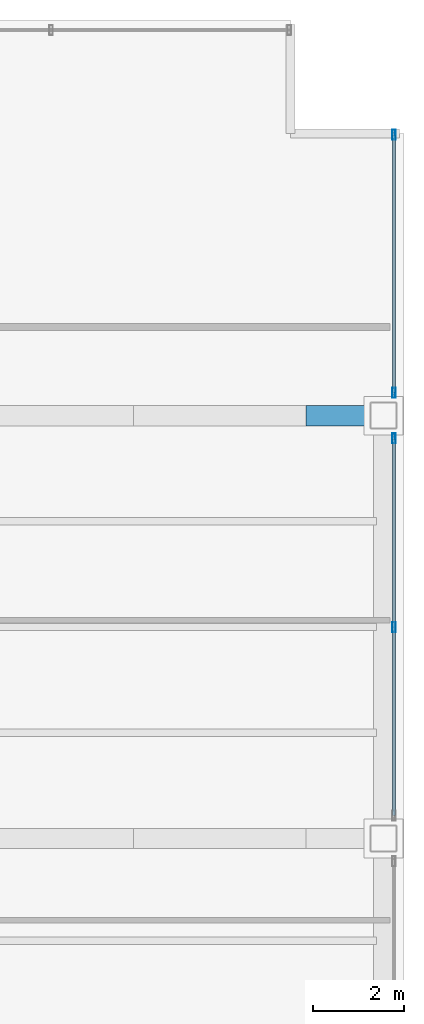
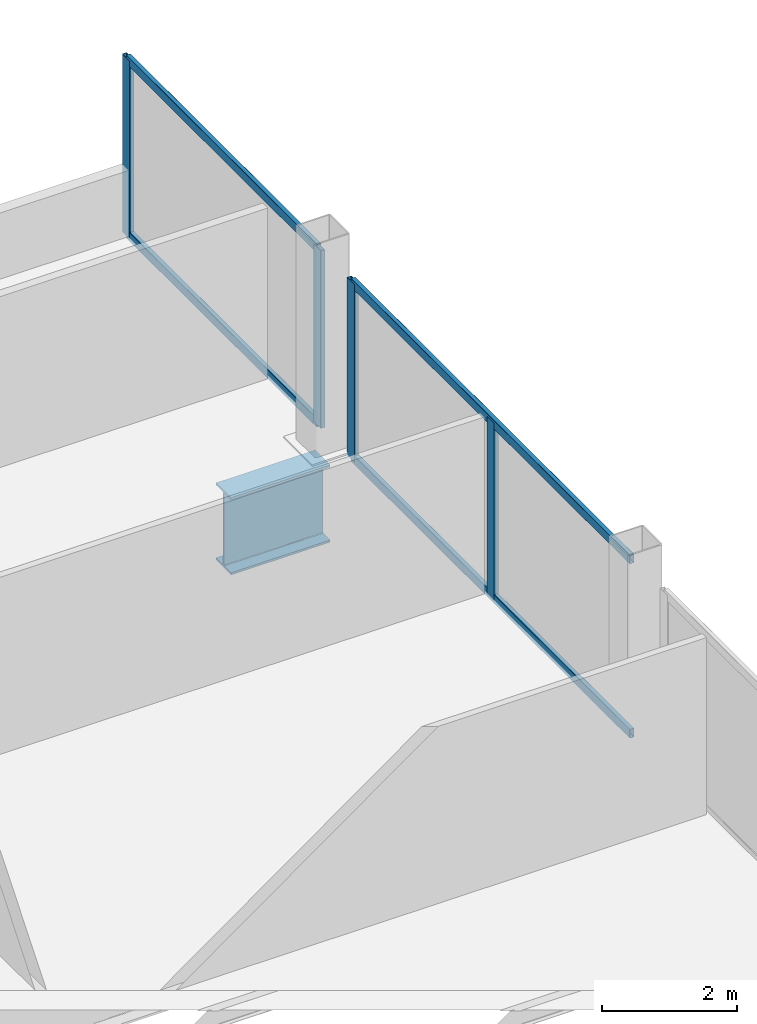
# One storey, part 15 of 23: 8 members, 1 beam, 2 elements without a shape of their own.
"""IFC4 building model written with IfcOpenShell, lengths in metres."""

from ifc_helpers import new_model, si_unit, direction, frame, origin, origin_2d, place, context, subcontext, project, spatial, hollow_rectangle, i_section, extrude, material, material_profile, profile_set, type_object, element, aggregate, save


model = new_model("IFC4")

# Units and contexts
model_context = context("Model", 3, precision=1e-05, world=origin(), true_north=direction((0.0, 1.0)))
body_context = subcontext(model_context, "Body", "Model", "MODEL_VIEW")
ifc_project = project(units=[si_unit("LENGTHUNIT", "METRE"), si_unit("AREAUNIT", "SQUARE_METRE"), si_unit("VOLUMEUNIT", "CUBIC_METRE"), si_unit("PLANEANGLEUNIT", "RADIAN"), si_unit("MASSUNIT", "GRAM", prefix="KILO")], contexts=[model_context])

# Site, building, storey
site_placement = place(None, origin())
site = spatial("IfcSite", under=ifc_project, at=site_placement, CompositionType="ELEMENT")
building_placement = place(site_placement, origin())
building = spatial("IfcBuilding", under=site, at=building_placement, Name="Noeulbin Bourse Tower", CompositionType="ELEMENT")
storey_placement = place(building_placement, frame((0.0, 0.0, 53.800048828125)))
storey = spatial("IfcBuildingStorey", under=building, at=storey_placement, Name="L13", CompositionType="ELEMENT", Elevation=53.800048828125)

# Beam
ifc_material_1 = material(Name="Steel S460", Category="steel")
ifc_material_profile_1 = material_profile(ifc_material_1, i_section(OverallWidth=0.449951171875, OverallDepth=1.39990234375, WebThickness=0.02392578125, FlangeThickness=0.0400390625, FilletRadius=0.02392578125, at=origin_2d()), Name="PG-1400x450x24x40", Category="LoadBearing")
ifc_profile_set_1 = profile_set([ifc_material_profile_1], Name="Steel S460")
beam_type = type_object("IfcBeamType", Name="BM-TRF-1400", PredefinedType="USERDEFINED", material=ifc_profile_set_1)
beam_placement = place(storey_placement, frame((55.35009765625, 38.300048828125, -0.93994140625), z_axis=(1.0, 0.0, 0.0), x_axis=(0.0, 1.0, 0.0)))
element("IfcBeam", 1, at=beam_placement, inside=storey, type_object=beam_type, Name="Tower Primary Girder EW L13-3.8", ObjectType="GIRDER", PredefinedType="USERDEFINED", context=body_context, shape_type="SweptSolid", body=[
    extrude(i_section(OverallWidth=0.449951171875, OverallDepth=1.39990234375, WebThickness=0.02392578125, FlangeThickness=0.0400390625, FilletRadius=0.02392578125, at=origin_2d()), origin(), (0.0, 0.0, 1.0), 1.699951171875),
])

# Curtain wall, members
ifc_material_2 = material(Name="Dark Solar-Control Double Glazing", Category="glass")
curtain_wall_type = type_object("IfcCurtainWallType", Name="CW-SYS-2", PredefinedType="NOTDEFINED", material=ifc_material_2)
curtain_wall_1_placement = place(storey_placement, origin())
curtain_wall_1 = element("IfcCurtainWall", 2, at=curtain_wall_1_placement, inside=storey, type_object=curtain_wall_type, Name="Unitised Curtain Wall CW-L13-E-S3", PredefinedType="NOTDEFINED")
ifc_material_3 = material(Name="Anodised Aluminium 6063-T6", Category="aluminium")
ifc_material_profile_2 = material_profile(ifc_material_3, hollow_rectangle(XDim=0.074951171875, YDim=0.219970703125, WallThickness=0.0048828125, InnerFilletRadius=0.00244140625, OuterFilletRadius=0.0048828125, at=origin_2d()), Name="ALU-MULL-75x220x5", Category="LoadBearing")
ifc_profile_set_2 = profile_set([ifc_material_profile_2], Name="Anodised Aluminium 6063-T6")
member_type_1 = type_object("IfcMemberType", Name="CW-SYS-2-MUL", PredefinedType="MULLION", material=ifc_profile_set_2)
member_1_placement = place(storey_placement, frame((57.280029296875, 33.64990234375, -0.02001953125), z_axis=(0.0, 0.0, 1.0), x_axis=(1.0, 0.0, 0.0)))
member_1 = element("IfcMember", 3, at=member_1_placement, type_object=member_type_1, Name="Curtain Wall Mullion CW-L13-E-S3-M01", PredefinedType="MULLION", context=body_context, shape_type="SweptSolid", body=[
    extrude(hollow_rectangle(XDim=0.074951171875, YDim=0.219970703125, WallThickness=0.0048828125, InnerFilletRadius=0.00244140625, OuterFilletRadius=0.0048828125, at=origin_2d()), origin(), (0.0, 0.0, 1.0), 3.219970703125),
])
member_2_placement = place(storey_placement, frame((57.280029296875, 37.800048828125, -0.02001953125), z_axis=(0.0, 0.0, 1.0), x_axis=(1.0, 0.0, 0.0)))
member_2 = element("IfcMember", 4, at=member_2_placement, type_object=member_type_1, Name="Curtain Wall Mullion CW-L13-E-S3-M02", PredefinedType="MULLION", context=body_context, shape_type="SweptSolid", body=[
    extrude(hollow_rectangle(XDim=0.074951171875, YDim=0.219970703125, WallThickness=0.0048828125, InnerFilletRadius=0.00244140625, OuterFilletRadius=0.0048828125, at=origin_2d()), origin(), (0.0, 0.0, 1.0), 3.219970703125),
])

curtain_wall_2_placement = place(storey_placement, origin())
curtain_wall_2 = element("IfcCurtainWall", 5, at=curtain_wall_2_placement, inside=storey, type_object=curtain_wall_type, Name="Unitised Curtain Wall CW-L13-E-S4", PredefinedType="NOTDEFINED")
member_3_placement = place(storey_placement, frame((57.280029296875, 38.800048828125, -0.02001953125), z_axis=(0.0, 0.0, 1.0), x_axis=(1.0, 0.0, 0.0)))
member_3 = element("IfcMember", 6, at=member_3_placement, type_object=member_type_1, Name="Curtain Wall Mullion CW-L13-E-S4-M00", PredefinedType="MULLION", context=body_context, shape_type="SweptSolid", body=[
    extrude(hollow_rectangle(XDim=0.074951171875, YDim=0.219970703125, WallThickness=0.0048828125, InnerFilletRadius=0.00244140625, OuterFilletRadius=0.0048828125, at=origin_2d()), origin(), (0.0, 0.0, 1.0), 3.219970703125),
])
member_4_placement = place(storey_placement, frame((57.280029296875, 44.47998046875, -0.02001953125), z_axis=(0.0, 0.0, 1.0), x_axis=(1.0, 0.0, 0.0)))
member_4 = element("IfcMember", 7, at=member_4_placement, type_object=member_type_1, Name="Curtain Wall Mullion CW-L13-E-S4-M01", PredefinedType="MULLION", context=body_context, shape_type="SweptSolid", body=[
    extrude(hollow_rectangle(XDim=0.074951171875, YDim=0.219970703125, WallThickness=0.0048828125, InnerFilletRadius=0.00244140625, OuterFilletRadius=0.0048828125, at=origin_2d()), origin(), (0.0, 0.0, 1.0), 3.219970703125),
])

# Member
ifc_material_profile_3 = material_profile(ifc_material_3, hollow_rectangle(XDim=0.074951171875, YDim=0.159912109375, WallThickness=0.0048828125, InnerFilletRadius=0.00244140625, OuterFilletRadius=0.0048828125, at=origin_2d()), Name="ALU-TRAN-75x160x5", Category="LoadBearing")
ifc_profile_set_3 = profile_set([ifc_material_profile_3], Name="Anodised Aluminium 6063-T6")
member_type_2 = type_object("IfcMemberType", Name="CW-SYS-2-TRN", PredefinedType="USERDEFINED", material=ifc_profile_set_3)
member_5_placement = place(storey_placement, frame((57.280029296875, 29.510009765625, 0.010009765625), z_axis=(0.0, 1.0, 0.0), x_axis=(-1.0, 0.0, 0.0)))
member_5 = element("IfcMember", 8, at=member_5_placement, type_object=member_type_2, Name="Curtain Wall Transom CW-L13-E-S3-T00", ObjectType="TRANSOM", PredefinedType="USERDEFINED", context=body_context, shape_type="SweptSolid", body=[
    extrude(hollow_rectangle(XDim=0.074951171875, YDim=0.159912109375, WallThickness=0.0048828125, InnerFilletRadius=0.00244140625, OuterFilletRadius=0.0048828125, at=origin_2d()), origin(), (0.0, 0.0, 1.0), 8.280029296875),
])

member_6_placement = place(storey_placement, frame((57.280029296875, 29.510009765625, 3.169921875), z_axis=(0.0, 1.0, 0.0), x_axis=(-1.0, 0.0, 0.0)))
member_6 = element("IfcMember", 9, at=member_6_placement, type_object=member_type_2, Name="Curtain Wall Transom CW-L13-E-S3-T01", ObjectType="TRANSOM", PredefinedType="USERDEFINED", context=body_context, shape_type="SweptSolid", body=[
    extrude(hollow_rectangle(XDim=0.074951171875, YDim=0.159912109375, WallThickness=0.0048828125, InnerFilletRadius=0.00244140625, OuterFilletRadius=0.0048828125, at=origin_2d()), origin(), (0.0, 0.0, 1.0), 8.280029296875),
])

aggregate(curtain_wall_1, [member_1, member_2, member_5, member_6])

member_7_placement = place(storey_placement, frame((57.280029296875, 38.81005859375, 0.010009765625), z_axis=(0.0, 1.0, 0.0), x_axis=(-1.0, 0.0, 0.0)))
member_7 = element("IfcMember", 10, at=member_7_placement, type_object=member_type_2, Name="Curtain Wall Transom CW-L13-E-S4-T00", ObjectType="TRANSOM", PredefinedType="USERDEFINED", context=body_context, shape_type="SweptSolid", body=[
    extrude(hollow_rectangle(XDim=0.074951171875, YDim=0.159912109375, WallThickness=0.0048828125, InnerFilletRadius=0.00244140625, OuterFilletRadius=0.0048828125, at=origin_2d()), origin(), (0.0, 0.0, 1.0), 5.659912109375),
])

member_8_placement = place(storey_placement, frame((57.280029296875, 38.81005859375, 3.169921875), z_axis=(0.0, 1.0, 0.0), x_axis=(-1.0, 0.0, 0.0)))
member_8 = element("IfcMember", 11, at=member_8_placement, type_object=member_type_2, Name="Curtain Wall Transom CW-L13-E-S4-T01", ObjectType="TRANSOM", PredefinedType="USERDEFINED", context=body_context, shape_type="SweptSolid", body=[
    extrude(hollow_rectangle(XDim=0.074951171875, YDim=0.159912109375, WallThickness=0.0048828125, InnerFilletRadius=0.00244140625, OuterFilletRadius=0.0048828125, at=origin_2d()), origin(), (0.0, 0.0, 1.0), 5.659912109375),
])

aggregate(curtain_wall_2, [member_3, member_4, member_7, member_8])

save(model, "model.ifc")
